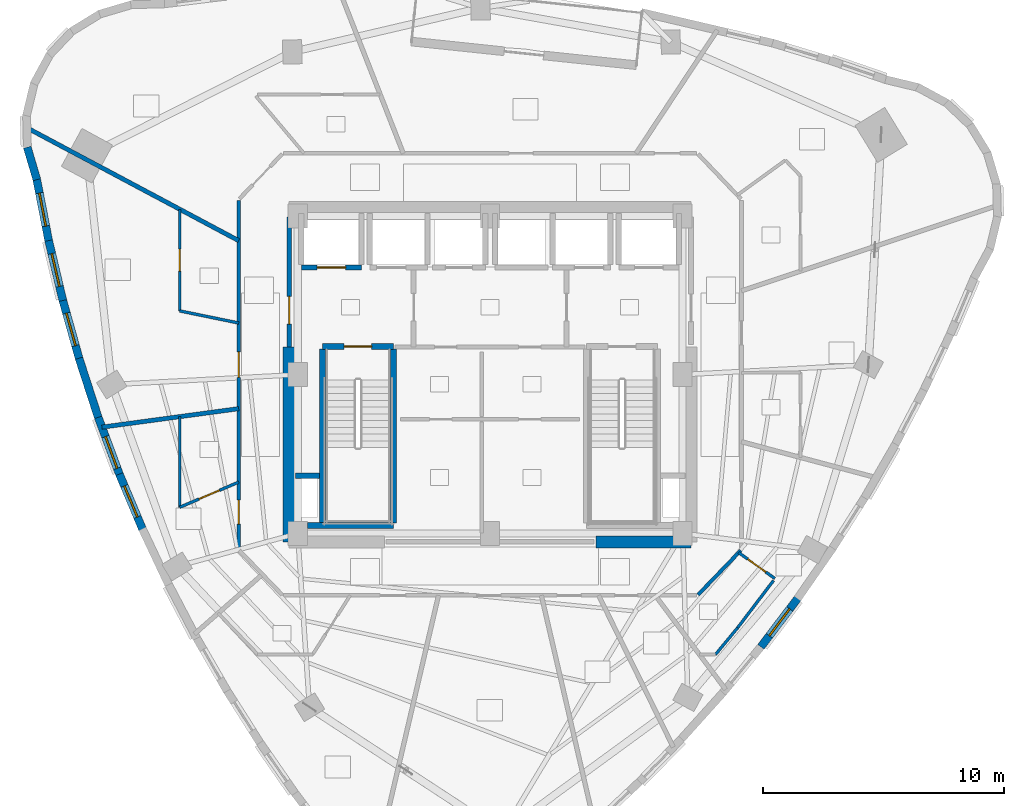
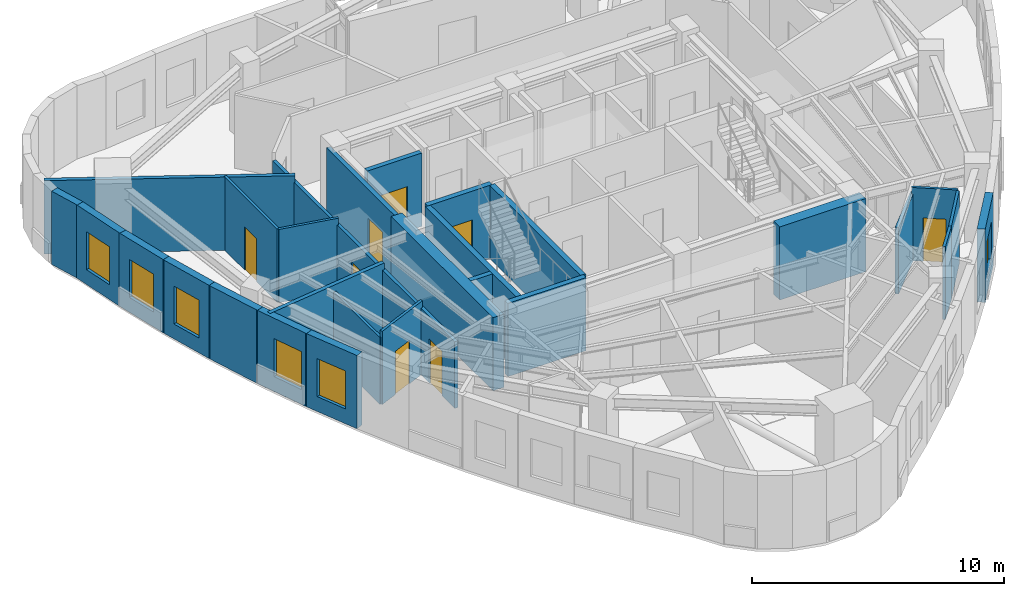
# One storey, part 6 of 12: 28 walls, 8 doors, 6 windows, 14 openings.
"""IFC4 building model written with IfcOpenShell, lengths in metres."""

from ifc_helpers import new_model, si_unit, direction, frame, frame_2d, origin, place, context, subcontext, project, spatial, rectangle, extrude, material, layer, layer_set, type_object, element, fill, save


model = new_model("IFC4")

# Units and contexts
model_context = context("Model", 3, precision=1e-05, world=origin(), true_north=direction((0.0, 1.0)))
body_context = subcontext(model_context, "Body", "Model", "MODEL_VIEW")
ifc_project = project(units=[si_unit("LENGTHUNIT", "METRE"), si_unit("AREAUNIT", "SQUARE_METRE"), si_unit("VOLUMEUNIT", "CUBIC_METRE"), si_unit("PLANEANGLEUNIT", "RADIAN"), si_unit("MASSUNIT", "GRAM", prefix="KILO")], contexts=[model_context])

# Site, building, storey
site_placement = place(None, origin())
site = spatial("IfcSite", under=ifc_project, at=site_placement, CompositionType="ELEMENT")
building_placement = place(site_placement, origin())
building = spatial("IfcBuilding", under=site, at=building_placement, Name="Ndelora Gate Hotel", CompositionType="ELEMENT")
storey_placement = place(building_placement, frame((0.0, 0.0, 190.35009765625)))
storey = spatial("IfcBuildingStorey", under=building, at=storey_placement, Name="L47", CompositionType="ELEMENT", Elevation=190.35009765625)

# Walls
ifc_material_1 = material(Name="Acoustic Double-Stud Gypsum Assembly", Category="gypsum")
ifc_layer_1 = layer(ifc_material_1, 0.179931640625)
ifc_layer_set_1 = layer_set([ifc_layer_1], Name="Acoustic Double-Stud Gypsum Assembly")
wall_type_1 = type_object("IfcWallType", Name="WL-ACOUST-180", PredefinedType="PARTITIONING", material=ifc_layer_set_1)
wall_1_placement = place(storey_placement, frame((-10.449951171875, 5.56884765625, 0.0), z_axis=(0.0, 0.0, 1.0), x_axis=(-0.882520823544, 0.47027332054, 0.0)))
element("IfcWall", 1, at=wall_1_placement, inside=storey, type_object=wall_type_1, Name="L47 Interior Wall IW-3", PredefinedType="PARTITIONING", context=body_context, shape_type="SweptSolid", body=[
    extrude(rectangle(XDim=9.97998046875, YDim=0.179931640625, at=frame_2d((4.989990234375, 0.0))), origin(), (0.0, 0.0, 1.0), 3.5498046875),
])
wall_2_placement = place(storey_placement, frame((-10.449951171875, -1.41455078125, 0.0), z_axis=(0.0, 0.0, 1.0), x_axis=(-0.990963730959, -0.13413010074, 0.0)))
element("IfcWall", 2, at=wall_2_placement, inside=storey, type_object=wall_type_1, Name="L47 Interior Wall IW-3", PredefinedType="PARTITIONING", context=body_context, shape_type="SweptSolid", body=[
    extrude(rectangle(XDim=5.74072265625, YDim=0.179931640625, at=frame_2d((2.870361328125, 0.0))), origin(), (0.0, 0.0, 1.0), 3.5498046875),
])
ifc_material_2 = material(Name="Clay Brick Masonry", Category="masonry")
ifc_layer_2 = layer(ifc_material_2, 0.330078125)
ifc_layer_set_2 = layer_set([ifc_layer_2], Name="Clay Brick Masonry")
wall_type_2 = type_object("IfcWallType", Name="WL-BRICK-330", PredefinedType="SOLIDWALL", material=ifc_layer_set_2)
wall_3_placement = place(storey_placement, frame((-18.843017578125, 8.10498046875, 0.0), z_axis=(0.0, 0.0, 1.0), x_axis=(-0.284100140437, 0.958794613149, 0.0)))
element("IfcWall", 3, at=wall_3_placement, inside=storey, type_object=wall_type_2, Name="L47 Tower Brick Pier-and-Spandrel Wall TWR-8", PredefinedType="SOLIDWALL", context=body_context, shape_type="SweptSolid", body=[
    extrude(rectangle(XDim=1.40771484375, YDim=0.330078125, at=frame_2d((0.703857421875, 0.0))), origin(), (0.0, 0.0, 1.0), 3.5498046875),
])

# Wall, opening, window
wall_4_placement = place(storey_placement, frame((-18.3525390625, 5.5703125, 0.0), z_axis=(0.0, 0.0, 1.0), x_axis=(-0.190921803472, 0.981605249048, 0.0)))
wall_4 = element("IfcWall", 4, at=wall_4_placement, inside=storey, type_object=wall_type_2, Name="L47 Tower Brick Pier-and-Spandrel Wall TWR-9", PredefinedType="SOLIDWALL", context=body_context, shape_type="SweptSolid", body=[
    extrude(rectangle(XDim=2.631591796875, YDim=0.330078125, at=frame_2d((1.31591796875, 0.0))), origin(), (0.0, 0.0, 1.0), 3.5498046875),
])
opening_1_placement = place(wall_4_placement, frame((0.615966796875, 0.0, 0.719970703125)))
opening_1 = element("IfcOpeningElement", 5, at=opening_1_placement, cuts=wall_4, Name="Opening W02", PredefinedType="OPENING", context=body_context, shape_type="SweptSolid", body=[
    extrude(rectangle(XDim=1.39990234375, YDim=1.840087890625, at=frame_2d((0.699951171875, 0.919921875))), frame((0.0, 0.175048828125, 0.0), z_axis=(0.0, -1.0, 0.0), x_axis=(1.0, 0.0, 0.0)), (0.0, 0.0, 1.0), 0.35009765625),
])
ifc_material_3 = material(Name="Insulated Low-E Double Glazing in Bronze Aluminium Frame", Category="aluminium")
window_type = type_object("IfcWindowType", Name="WN-DEEP-1400", PartitioningType="SINGLE_PANEL", PredefinedType="WINDOW", material=ifc_material_3)
window_1_placement = place(opening_1_placement, origin())
window_1 = element("IfcWindow", 6, at=window_1_placement, inside=storey, type_object=window_type, Name="L47 Deep-Set Brick-Pier Window W02", OverallHeight=1.840087890625, OverallWidth=1.39990234375, PartitioningType="SINGLE_PANEL", PredefinedType="WINDOW", context=body_context, shape_type="SweptSolid", body=[
    extrude(rectangle(XDim=1.39990234375, YDim=1.840087890625, at=frame_2d((0.699951171875, 0.919921875))), frame((0.0, 0.030029296875, 0.0), z_axis=(0.0, -1.0, 0.0), x_axis=(1.0, 0.0, 0.0)), (0.0, 0.0, 1.0), 0.06005859375),
])
fill(opening_1, window_1)

wall_5_placement = place(storey_placement, frame((-17.762451171875, 3.079345703125, 0.0), z_axis=(0.0, 0.0, 1.0), x_axis=(-0.230212303812, 0.973140429318, 0.0)))
wall_5 = element("IfcWall", 7, at=wall_5_placement, inside=storey, type_object=wall_type_2, Name="L47 Tower Brick Pier-and-Spandrel Wall TWR-10", PredefinedType="SOLIDWALL", context=body_context, shape_type="SweptSolid", body=[
    extrude(rectangle(XDim=2.60986328125, YDim=0.330078125, at=frame_2d((1.304931640625, 0.0))), origin(), (0.0, 0.0, 1.0), 3.5498046875),
])
opening_2_placement = place(wall_5_placement, frame((0.60498046875, 0.0, 0.719970703125)))
opening_2 = element("IfcOpeningElement", 8, at=opening_2_placement, cuts=wall_5, Name="Opening W02", PredefinedType="OPENING", context=body_context, shape_type="SweptSolid", body=[
    extrude(rectangle(XDim=1.39990234375, YDim=1.840087890625, at=frame_2d((0.699951171875, 0.919921875))), frame((0.0, 0.175048828125, 0.0), z_axis=(0.0, -1.0, 0.0), x_axis=(1.0, 0.0, 0.0)), (0.0, 0.0, 1.0), 0.35009765625),
])
window_2_placement = place(opening_2_placement, origin())
window_2 = element("IfcWindow", 9, at=window_2_placement, inside=storey, type_object=window_type, Name="L47 Deep-Set Brick-Pier Window W02", OverallHeight=1.840087890625, OverallWidth=1.39990234375, PartitioningType="SINGLE_PANEL", PredefinedType="WINDOW", context=body_context, shape_type="SweptSolid", body=[
    extrude(rectangle(XDim=1.39990234375, YDim=1.840087890625, at=frame_2d((0.699951171875, 0.919921875))), frame((0.0, 0.030029296875, 0.0), z_axis=(0.0, -1.0, 0.0), x_axis=(1.0, 0.0, 0.0)), (0.0, 0.0, 1.0), 0.06005859375),
])
fill(opening_2, window_2)

wall_6_placement = place(storey_placement, frame((-17.07568359375, 0.631103515625, 0.0), z_axis=(0.0, 0.0, 1.0), x_axis=(-0.26969279574, 0.962946413839, 0.0)))
wall_6 = element("IfcWall", 10, at=wall_6_placement, inside=storey, type_object=wall_type_2, Name="L47 Tower Brick Pier-and-Spandrel Wall TWR-11", PredefinedType="SOLIDWALL", context=body_context, shape_type="SweptSolid", body=[
    extrude(rectangle(XDim=2.592529296875, YDim=0.330078125, at=frame_2d((1.29638671875, 0.0))), origin(), (0.0, 0.0, 1.0), 3.5498046875),
])
opening_3_placement = place(wall_6_placement, frame((0.59619140625, 0.0, 0.719970703125)))
opening_3 = element("IfcOpeningElement", 11, at=opening_3_placement, cuts=wall_6, Name="Opening W02", PredefinedType="OPENING", context=body_context, shape_type="SweptSolid", body=[
    extrude(rectangle(XDim=1.39990234375, YDim=1.840087890625, at=frame_2d((0.699951171875, 0.919921875))), frame((0.0, 0.175048828125, 0.0), z_axis=(0.0, -1.0, 0.0), x_axis=(1.0, 0.0, 0.0)), (0.0, 0.0, 1.0), 0.35009765625),
])
window_3_placement = place(opening_3_placement, origin())
window_3 = element("IfcWindow", 12, at=window_3_placement, inside=storey, type_object=window_type, Name="L47 Deep-Set Brick-Pier Window W02", OverallHeight=1.840087890625, OverallWidth=1.39990234375, PartitioningType="SINGLE_PANEL", PredefinedType="WINDOW", context=body_context, shape_type="SweptSolid", body=[
    extrude(rectangle(XDim=1.39990234375, YDim=1.840087890625, at=frame_2d((0.699951171875, 0.919921875))), frame((0.0, 0.030029296875, 0.0), z_axis=(0.0, -1.0, 0.0), x_axis=(1.0, 0.0, 0.0)), (0.0, 0.0, 1.0), 0.06005859375),
])
fill(opening_3, window_3)

# Wall
wall_7_placement = place(storey_placement, frame((-16.292724609375, -1.77392578125, 0.0), z_axis=(0.0, 0.0, 1.0), x_axis=(-0.309148141518, 0.951013894008, 0.0)))
element("IfcWall", 13, at=wall_7_placement, inside=storey, type_object=wall_type_2, Name="L47 Tower Brick Pier-and-Spandrel Wall TWR-12", PredefinedType="SOLIDWALL", context=body_context, shape_type="SweptSolid", body=[
    extrude(rectangle(XDim=2.579345703125, YDim=0.330078125, at=frame_2d((1.28955078125, 0.0))), origin(), (0.0, 0.0, 1.0), 3.5498046875),
])

# Wall, opening, window
wall_8_placement = place(storey_placement, frame((-15.4130859375, -4.135986328125, 0.0), z_axis=(0.0, 0.0, 1.0), x_axis=(-0.348582368666, 0.937278150954, 0.0)))
wall_8 = element("IfcWall", 14, at=wall_8_placement, inside=storey, type_object=wall_type_2, Name="L47 Tower Brick Pier-and-Spandrel Wall TWR-13", PredefinedType="SOLIDWALL", context=body_context, shape_type="SweptSolid", body=[
    extrude(rectangle(XDim=2.5703125, YDim=0.330078125, at=frame_2d((1.28515625, 0.0))), origin(), (0.0, 0.0, 1.0), 3.5498046875),
])
opening_4_placement = place(wall_8_placement, frame((0.260009765625, 0.0, 0.719970703125)))
opening_4 = element("IfcOpeningElement", 15, at=opening_4_placement, cuts=wall_8, Name="Opening W02", PredefinedType="OPENING", context=body_context, shape_type="SweptSolid", body=[
    extrude(rectangle(XDim=1.39990234375, YDim=1.840087890625, at=frame_2d((0.699951171875, 0.919921875))), frame((0.0, 0.175048828125, 0.0), z_axis=(0.0, -1.0, 0.0), x_axis=(1.0, 0.0, 0.0)), (0.0, 0.0, 1.0), 0.35009765625),
])
window_4_placement = place(opening_4_placement, origin())
window_4 = element("IfcWindow", 16, at=window_4_placement, inside=storey, type_object=window_type, Name="L47 Deep-Set Brick-Pier Window W02", OverallHeight=1.840087890625, OverallWidth=1.39990234375, PartitioningType="SINGLE_PANEL", PredefinedType="WINDOW", context=body_context, shape_type="SweptSolid", body=[
    extrude(rectangle(XDim=1.39990234375, YDim=1.840087890625, at=frame_2d((0.699951171875, 0.919921875))), frame((0.0, 0.030029296875, 0.0), z_axis=(0.0, -1.0, 0.0), x_axis=(1.0, 0.0, 0.0)), (0.0, 0.0, 1.0), 0.06005859375),
])
fill(opening_4, window_4)

wall_9_placement = place(storey_placement, frame((-14.437255859375, -6.455078125, 0.0), z_axis=(0.0, 0.0, 1.0), x_axis=(-0.387525243304, 0.921859092162, 0.0)))
wall_9 = element("IfcWall", 17, at=wall_9_placement, inside=storey, type_object=wall_type_2, Name="L47 Tower Brick Pier-and-Spandrel Wall TWR-14", PredefinedType="SOLIDWALL", context=body_context, shape_type="SweptSolid", body=[
    extrude(rectangle(XDim=2.56591796875, YDim=0.330078125, at=frame_2d((1.282958984375, 0.0))), origin(), (0.0, 0.0, 1.0), 3.5498046875),
])
opening_5_placement = place(wall_9_placement, frame((0.5830078125, 0.0, 0.719970703125)))
opening_5 = element("IfcOpeningElement", 18, at=opening_5_placement, cuts=wall_9, Name="Opening W02", PredefinedType="OPENING", context=body_context, shape_type="SweptSolid", body=[
    extrude(rectangle(XDim=1.39990234375, YDim=1.840087890625, at=frame_2d((0.699951171875, 0.919921875))), frame((0.0, 0.175048828125, 0.0), z_axis=(0.0, -1.0, 0.0), x_axis=(1.0, 0.0, 0.0)), (0.0, 0.0, 1.0), 0.35009765625),
])
window_5_placement = place(opening_5_placement, origin())
window_5 = element("IfcWindow", 19, at=window_5_placement, inside=storey, type_object=window_type, Name="L47 Deep-Set Brick-Pier Window W02", OverallHeight=1.840087890625, OverallWidth=1.39990234375, PartitioningType="SINGLE_PANEL", PredefinedType="WINDOW", context=body_context, shape_type="SweptSolid", body=[
    extrude(rectangle(XDim=1.39990234375, YDim=1.840087890625, at=frame_2d((0.699951171875, 0.919921875))), frame((0.0, 0.030029296875, 0.0), z_axis=(0.0, -1.0, 0.0), x_axis=(1.0, 0.0, 0.0)), (0.0, 0.0, 1.0), 0.06005859375),
])
fill(opening_5, window_5)

wall_10_placement = place(storey_placement, frame((12.80908203125, -9.275390625, 0.0), z_axis=(0.0, 0.0, 1.0), x_axis=(-0.604617593392, -0.796515891719, 0.0)))
wall_10 = element("IfcWall", 20, at=wall_10_placement, inside=storey, type_object=wall_type_2, Name="L47 Tower Brick Pier-and-Spandrel Wall TWR-34", PredefinedType="SOLIDWALL", context=body_context, shape_type="SweptSolid", body=[
    extrude(rectangle(XDim=2.566162109375, YDim=0.330078125, at=frame_2d((1.283203125, 0.0))), origin(), (0.0, 0.0, 1.0), 3.5498046875),
])
opening_6_placement = place(wall_10_placement, frame((0.5830078125, 0.0, 0.719970703125)))
opening_6 = element("IfcOpeningElement", 21, at=opening_6_placement, cuts=wall_10, Name="Opening W02", PredefinedType="OPENING", context=body_context, shape_type="SweptSolid", body=[
    extrude(rectangle(XDim=1.39990234375, YDim=1.840087890625, at=frame_2d((0.699951171875, 0.919921875))), frame((0.0, 0.175048828125, 0.0), z_axis=(0.0, -1.0, 0.0), x_axis=(1.0, 0.0, 0.0)), (0.0, 0.0, 1.0), 0.35009765625),
])
window_6_placement = place(opening_6_placement, origin())
window_6 = element("IfcWindow", 22, at=window_6_placement, inside=storey, type_object=window_type, Name="L47 Deep-Set Brick-Pier Window W02", OverallHeight=1.840087890625, OverallWidth=1.39990234375, PartitioningType="SINGLE_PANEL", PredefinedType="WINDOW", context=body_context, shape_type="SweptSolid", body=[
    extrude(rectangle(XDim=1.39990234375, YDim=1.840087890625, at=frame_2d((0.699951171875, 0.919921875))), frame((0.0, 0.030029296875, 0.0), z_axis=(0.0, -1.0, 0.0), x_axis=(1.0, 0.0, 0.0)), (0.0, 0.0, 1.0), 0.06005859375),
])
fill(opening_6, window_6)

# Walls
ifc_material_4 = material(Name="Concrete C50/60", Category="concrete")
ifc_layer_3 = layer(ifc_material_4, 0.5)
ifc_layer_set_3 = layer_set([ifc_layer_3], Name="Concrete C50/60")
wall_type_3 = type_object("IfcWallType", Name="WL-CORE-500", PredefinedType="SHEAR", material=ifc_layer_set_3)
wall_11_placement = place(storey_placement, frame((4.39990234375, -6.949951171875, 0.0), z_axis=(0.0, 0.0, 1.0), x_axis=(1.0, 0.0, 0.0)))
element("IfcWall", 23, at=wall_11_placement, inside=storey, type_object=wall_type_3, Name="L47 Core Shear Wall S-E", PredefinedType="SHEAR", context=body_context, shape_type="SweptSolid", body=[
    extrude(rectangle(XDim=3.9501953125, YDim=0.5, at=frame_2d((1.97509765625, 0.0))), origin(), (0.0, 0.0, 1.0), 3.5498046875),
])
wall_12_placement = place(storey_placement, frame((-8.35009765625, -6.949951171875, 0.0), z_axis=(0.0, 0.0, 1.0), x_axis=(0.0, 1.0, 0.0)))
element("IfcWall", 24, at=wall_12_placement, inside=storey, type_object=wall_type_3, Name="L47 Core Shear Wall W", PredefinedType="SHEAR", context=body_context, shape_type="SweptSolid", body=[
    extrude(rectangle(XDim=8.099853515625, YDim=0.5, at=frame_2d((4.0498046875, 0.0))), origin(), (0.0, 0.0, 1.0), 3.5498046875),
])

# Wall, opening, door
ifc_material_5 = material(Name="Concrete C40/50", Category="concrete")
ifc_layer_4 = layer(ifc_material_5, 0.199951171875)
ifc_layer_set_4 = layer_set([ifc_layer_4], Name="Concrete C40/50")
wall_type_4 = type_object("IfcWallType", Name="WL-FIRE-200", PredefinedType="PARTITIONING", material=ifc_layer_set_4)
wall_13_placement = place(storey_placement, frame((-8.35009765625, 1.14990234375, 0.0), z_axis=(0.0, 0.0, 1.0), x_axis=(0.0, 1.0, 0.0)))
wall_13 = element("IfcWall", 25, at=wall_13_placement, inside=storey, type_object=wall_type_4, Name="L47 Interior Wall IW-2", PredefinedType="PARTITIONING", context=body_context, shape_type="SweptSolid", body=[
    extrude(rectangle(XDim=5.400146484375, YDim=0.199951171875, at=frame_2d((2.7001953125, 0.0))), origin(), (0.0, 0.0, 1.0), 3.5498046875),
])
opening_7_placement = place(wall_13_placement, frame((0.949951171875, 0.0, 0.0)))
opening_7 = element("IfcOpeningElement", 26, at=opening_7_placement, cuts=wall_13, Name="Opening FD1", PredefinedType="OPENING", context=body_context, shape_type="SweptSolid", body=[
    extrude(rectangle(XDim=1.14990234375, YDim=2.14990234375, at=frame_2d((0.574951171875, 1.074951171875))), frame((0.0, 0.10986328125, 0.0), z_axis=(0.0, -1.0, 0.0), x_axis=(1.0, 0.0, 0.0)), (0.0, 0.0, 1.0), 0.219970703125),
])
ifc_material_6 = material(Name="Fire-Rated Timber-Veneer Steel Core", Category="steel")
door_type_1 = type_object("IfcDoorType", Name="DR-FD60", OperationType="SINGLE_SWING_LEFT", PredefinedType="DOOR", material=ifc_material_6)
door_1_placement = place(opening_7_placement, origin())
door_1 = element("IfcDoor", 27, at=door_1_placement, inside=storey, type_object=door_type_1, Name="L47 Firefighting Lobby West Corridor Door", OperationType="SINGLE_SWING_LEFT", OverallHeight=2.14990234375, OverallWidth=1.14990234375, PredefinedType="DOOR", context=body_context, shape_type="SweptSolid", body=[
    extrude(rectangle(XDim=1.14990234375, YDim=2.14990234375, at=frame_2d((0.574951171875, 1.074951171875))), frame((0.0, 0.02490234375, 0.0), z_axis=(0.0, -1.0, 0.0), x_axis=(1.0, 0.0, 0.0)), (0.0, 0.0, 1.0), 0.050048828125),
])
fill(opening_7, door_1)

# Wall
ifc_material_7 = material(Name="Fire-Rated Gypsum Stud Partition", Category="gypsum")
ifc_layer_5 = layer(ifc_material_7, 0.14990234375)
ifc_layer_set_5 = layer_set([ifc_layer_5], Name="Fire-Rated Gypsum Stud Partition")
wall_type_5 = type_object("IfcWallType", Name="WL-PART-150", PredefinedType="PARTITIONING", material=ifc_layer_set_5)
wall_14_placement = place(storey_placement, frame((10.42236328125, -7.308837890625, 0.0), z_axis=(0.0, 0.0, 1.0), x_axis=(-0.693764562202, -0.720201869085, 0.0)))
element("IfcWall", 28, at=wall_14_placement, inside=storey, type_object=wall_type_5, Name="L47 Interior Wall IW-5", PredefinedType="PARTITIONING", context=body_context, shape_type="SweptSolid", body=[
    extrude(rectangle(XDim=2.55810546875, YDim=0.14990234375, at=frame_2d((1.279052734375, 0.0))), origin(), (0.0, 0.0, 1.0), 3.22998046875),
])

# Wall, openings, doors
wall_15_placement = place(storey_placement, frame((-10.449951171875, -7.239990234375, 0.0), z_axis=(0.0, 0.0, 1.0), x_axis=(0.0, 1.0, 0.0)))
wall_15 = element("IfcWall", 29, at=wall_15_placement, inside=storey, type_object=wall_type_5, Name="L47 Interior Wall IW-5", PredefinedType="PARTITIONING", context=body_context, shape_type="SweptSolid", body=[
    extrude(rectangle(XDim=14.47998046875, YDim=0.14990234375, at=frame_2d((7.239990234375, 0.0))), origin(), (0.0, 0.0, 1.0), 3.22998046875),
])
opening_8_placement = place(wall_15_placement, frame((1.026123046875, 0.0, 0.0)))
opening_8 = element("IfcOpeningElement", 30, at=opening_8_placement, cuts=wall_15, Name="Opening D01", PredefinedType="OPENING", context=body_context, shape_type="SweptSolid", body=[
    extrude(rectangle(XDim=1.0, YDim=2.14990234375, at=frame_2d((0.5, 1.074951171875))), frame((0.0, 0.0849609375, 0.0), z_axis=(0.0, -1.0, 0.0), x_axis=(1.0, 0.0, 0.0)), (0.0, 0.0, 1.0), 0.169921875),
])
opening_9_placement = place(wall_15_placement, frame((7.1259765625, 0.0, 0.0)))
opening_9 = element("IfcOpeningElement", 31, at=opening_9_placement, cuts=wall_15, Name="Opening D07", PredefinedType="OPENING", context=body_context, shape_type="SweptSolid", body=[
    extrude(rectangle(XDim=1.06005859375, YDim=2.14990234375, at=frame_2d((0.530029296875, 1.074951171875))), frame((0.0, 0.0849609375, 0.0), z_axis=(0.0, -1.0, 0.0), x_axis=(1.0, 0.0, 0.0)), (0.0, 0.0, 1.0), 0.169921875),
])
ifc_material_8 = material(Name="Acoustic Hardwood Guest Entrance Door", Category="wood")
door_type_2 = type_object("IfcDoorType", Name="DR-COR-1000", OperationType="SINGLE_SWING_LEFT", PredefinedType="DOOR", material=ifc_material_8)
door_2_placement = place(opening_8_placement, origin())
door_2 = element("IfcDoor", 32, at=door_2_placement, inside=storey, type_object=door_type_2, Name="L47 Altitude Deluxe Guest Room 5006 Entrance Door", OperationType="SINGLE_SWING_LEFT", OverallHeight=2.14990234375, OverallWidth=1.0, PredefinedType="DOOR", context=body_context, shape_type="SweptSolid", body=[
    extrude(rectangle(XDim=1.0, YDim=2.14990234375, at=frame_2d((0.5, 1.074951171875))), frame((0.0, 0.02490234375, 0.0), z_axis=(0.0, -1.0, 0.0), x_axis=(1.0, 0.0, 0.0)), (0.0, 0.0, 1.0), 0.050048828125),
])
fill(opening_8, door_2)
ifc_material_9 = material(Name="Diplomatic Suite Acoustic Entrance Door", Category="wood")
door_type_3 = type_object("IfcDoorType", Name="DR-SUITE-1060", OperationType="SINGLE_SWING_LEFT", PredefinedType="DOOR", material=ifc_material_9)
door_3_placement = place(opening_9_placement, origin())
door_3 = element("IfcDoor", 33, at=door_3_placement, inside=storey, type_object=door_type_3, Name="L47 Altitude Twin Suite 5005 Entrance Door", OperationType="SINGLE_SWING_LEFT", OverallHeight=2.14990234375, OverallWidth=1.06005859375, PredefinedType="DOOR", context=body_context, shape_type="SweptSolid", body=[
    extrude(rectangle(XDim=1.06005859375, YDim=2.14990234375, at=frame_2d((0.530029296875, 1.074951171875))), frame((0.0, 0.02490234375, 0.0), z_axis=(0.0, -1.0, 0.0), x_axis=(1.0, 0.0, 0.0)), (0.0, 0.0, 1.0), 0.050048828125),
])
fill(opening_9, door_3)

# Wall
ifc_layer_6 = layer(ifc_material_5, 0.219970703125)
ifc_layer_set_6 = layer_set([ifc_layer_6], Name="Concrete C40/50")
wall_type_6 = type_object("IfcWallType", Name="WL-SHAFT-220", PredefinedType="PARTITIONING", material=ifc_layer_set_6)
wall_16_placement = place(storey_placement, frame((-8.10009765625, -4.199951171875, 0.0), z_axis=(0.0, 0.0, 1.0), x_axis=(1.0, 0.0, 0.0)))
element("IfcWall", 34, at=wall_16_placement, inside=storey, type_object=wall_type_6, Name="L47 Interior Wall IW-1", PredefinedType="PARTITIONING", context=body_context, shape_type="SweptSolid", body=[
    extrude(rectangle(XDim=1.010009765625, YDim=0.219970703125, at=frame_2d((0.5048828125, 0.0))), origin(), (0.0, 0.0, 1.0), 3.5498046875),
])

# Wall, opening, door
wall_17_placement = place(storey_placement, frame((-7.85009765625, 4.449951171875, 0.0), z_axis=(0.0, 0.0, 1.0), x_axis=(1.0, 0.0, 0.0)))
wall_17 = element("IfcWall", 35, at=wall_17_placement, inside=storey, type_object=wall_type_6, Name="L47 Interior Wall IW-1", PredefinedType="PARTITIONING", context=body_context, shape_type="SweptSolid", body=[
    extrude(rectangle(XDim=2.5, YDim=0.219970703125, at=frame_2d((1.25, 0.0))), origin(), (0.0, 0.0, 1.0), 3.5498046875),
])
opening_10_placement = place(wall_17_placement, frame((0.659912109375, 0.0, 0.0)))
opening_10 = element("IfcOpeningElement", 36, at=opening_10_placement, cuts=wall_17, Name="Opening LD5", PredefinedType="OPENING", context=body_context, shape_type="SweptSolid", body=[
    extrude(rectangle(XDim=1.179931640625, YDim=2.14990234375, at=frame_2d((0.58984375, 1.074951171875))), frame((0.0, 0.1201171875, 0.0), z_axis=(0.0, -1.0, 0.0), x_axis=(1.0, 0.0, 0.0)), (0.0, 0.0, 1.0), 0.239990234375),
])
ifc_material_10 = material(Name="Firefighting Lift Stainless Sliding Landing Door", Category="metal")
door_type_4 = type_object("IfcDoorType", Name="DR-LD5", OperationType="DOUBLE_DOOR_SLIDING", PredefinedType="DOOR", material=ifc_material_10)
door_4_placement = place(opening_10_placement, origin())
door_4 = element("IfcDoor", 37, at=door_4_placement, inside=storey, type_object=door_type_4, Name="L47 Lift Landing Sliding Door FFL1", OperationType="DOUBLE_DOOR_SLIDING", OverallHeight=2.14990234375, OverallWidth=1.179931640625, PredefinedType="DOOR", context=body_context, shape_type="SweptSolid", body=[
    extrude(rectangle(XDim=1.179931640625, YDim=2.14990234375, at=frame_2d((0.58984375, 1.074951171875))), frame((0.0, 0.02490234375, 0.0), z_axis=(0.0, -1.0, 0.0), x_axis=(1.0, 0.0, 0.0)), (0.0, 0.0, 1.0), 0.050048828125),
])
fill(opening_10, door_4)

# Walls
ifc_layer_7 = layer(ifc_material_4, 0.239990234375)
ifc_layer_set_7 = layer_set([ifc_layer_7], Name="Concrete C50/60")
wall_type_7 = type_object("IfcWallType", Name="WL-STAIR-240", PredefinedType="SHEAR", material=ifc_layer_set_7)
wall_18_placement = place(storey_placement, frame((-6.969970703125, -6.159912109375, 0.0), z_axis=(0.0, 0.0, 1.0), x_axis=(0.0, 1.0, 0.0)))
element("IfcWall", 38, at=wall_18_placement, inside=storey, type_object=wall_type_7, Name="L47 Stair Core Shear Wall SW-ST", PredefinedType="SHEAR", context=body_context, shape_type="SweptSolid", body=[
    extrude(rectangle(XDim=7.219970703125, YDim=0.239990234375, at=frame_2d((3.60986328125, 0.0))), origin(), (0.0, 0.0, 1.0), 3.5498046875),
])
wall_19_placement = place(storey_placement, frame((-7.60009765625, -6.27001953125, 0.0), z_axis=(0.0, 0.0, 1.0), x_axis=(1.0, 0.0, 0.0)))
element("IfcWall", 39, at=wall_19_placement, inside=storey, type_object=wall_type_7, Name="L47 Stair Core Shear Wall SW-ST", PredefinedType="SHEAR", context=body_context, shape_type="SweptSolid", body=[
    extrude(rectangle(XDim=3.590087890625, YDim=0.239990234375, at=frame_2d((1.794921875, 0.0))), origin(), (0.0, 0.0, 1.0), 3.5498046875),
])
wall_20_placement = place(storey_placement, frame((-4.010009765625, -6.159912109375, 0.0), z_axis=(0.0, 0.0, 1.0), x_axis=(0.0, 1.0, 0.0)))
element("IfcWall", 40, at=wall_20_placement, inside=storey, type_object=wall_type_7, Name="L47 Stair Core Shear Wall SW-ST", PredefinedType="SHEAR", context=body_context, shape_type="SweptSolid", body=[
    extrude(rectangle(XDim=7.219970703125, YDim=0.239990234375, at=frame_2d((3.60986328125, 0.0))), origin(), (0.0, 0.0, 1.0), 3.5498046875),
])

# Wall, opening, door
wall_21_placement = place(storey_placement, frame((-6.969970703125, 1.169921875, 0.0), z_axis=(0.0, 0.0, 1.0), x_axis=(1.0, 0.0, 0.0)))
wall_21 = element("IfcWall", 41, at=wall_21_placement, inside=storey, type_object=wall_type_7, Name="L47 Stair Core Shear Wall SW-ST", PredefinedType="SHEAR", context=body_context, shape_type="SweptSolid", body=[
    extrude(rectangle(XDim=2.9599609375, YDim=0.239990234375, at=frame_2d((1.47998046875, 0.0))), origin(), (0.0, 0.0, 1.0), 3.5498046875),
])
opening_11_placement = place(wall_21_placement, frame((0.89990234375, 0.0, 0.0)))
opening_11 = element("IfcOpeningElement", 42, at=opening_11_placement, cuts=wall_21, Name="Opening FD1", PredefinedType="OPENING", context=body_context, shape_type="SweptSolid", body=[
    extrude(rectangle(XDim=1.14990234375, YDim=2.14990234375, at=frame_2d((0.574951171875, 1.074951171875))), frame((0.0, 0.1298828125, 0.0), z_axis=(0.0, -1.0, 0.0), x_axis=(1.0, 0.0, 0.0)), (0.0, 0.0, 1.0), 0.260009765625),
])
door_5_placement = place(opening_11_placement, origin())
door_5 = element("IfcDoor", 43, at=door_5_placement, inside=storey, type_object=door_type_1, Name="L47 Exit Stair ST4 Door", OperationType="SINGLE_SWING_LEFT", OverallHeight=2.14990234375, OverallWidth=1.14990234375, PredefinedType="DOOR", context=body_context, shape_type="SweptSolid", body=[
    extrude(rectangle(XDim=1.14990234375, YDim=2.14990234375, at=frame_2d((0.574951171875, 1.074951171875))), frame((0.0, 0.02490234375, 0.0), z_axis=(0.0, -1.0, 0.0), x_axis=(1.0, 0.0, 0.0)), (0.0, 0.0, 1.0), 0.050048828125),
])
fill(opening_11, door_5)

ifc_material_11 = material(Name="Moisture-Resistant Bathroom Tile Partition", Category="gypsum")
ifc_layer_8 = layer(ifc_material_11, 0.1201171875)
ifc_layer_set_8 = layer_set([ifc_layer_8], Name="Moisture-Resistant Bathroom Tile Partition")
wall_type_8 = type_object("IfcWallType", Name="WL-WET-120", PredefinedType="PARTITIONING", material=ifc_layer_set_8)
wall_22_placement = place(storey_placement, frame((10.3349609375, -7.3994140625, 0.0), z_axis=(0.0, 0.0, 1.0), x_axis=(0.813020012063, -0.582235742621, 0.0)))
wall_22 = element("IfcWall", 44, at=wall_22_placement, inside=storey, type_object=wall_type_8, Name="L47 Interior Wall IW-7", PredefinedType="PARTITIONING", context=body_context, shape_type="SweptSolid", body=[
    extrude(rectangle(XDim=1.851318359375, YDim=0.1201171875, at=frame_2d((0.92578125, 0.0))), origin(), (0.0, 0.0, 1.0), 3.5498046875),
])
opening_12_placement = place(wall_22_placement, frame((0.4658203125, 0.0, 0.0)))
opening_12 = element("IfcOpeningElement", 45, at=opening_12_placement, cuts=wall_22, Name="Opening D03", PredefinedType="OPENING", context=body_context, shape_type="SweptSolid", body=[
    extrude(rectangle(XDim=0.919921875, YDim=2.10009765625, at=frame_2d((0.4599609375, 1.050048828125))), frame((0.0, 0.070068359375, 0.0), z_axis=(0.0, -1.0, 0.0), x_axis=(1.0, 0.0, 0.0)), (0.0, 0.0, 1.0), 0.14013671875),
])
ifc_material_12 = material(Name="Moisture-Resistant Hardwood En-Suite Door", Category="wood")
door_type_5 = type_object("IfcDoorType", Name="DR-BATH-920", OperationType="SINGLE_SWING_LEFT", PredefinedType="DOOR", material=ifc_material_12)
door_6_placement = place(opening_12_placement, origin())
door_6 = element("IfcDoor", 46, at=door_6_placement, inside=storey, type_object=door_type_5, Name="L47 En-suite Bathroom 5001 Door", OperationType="SINGLE_SWING_RIGHT", OverallHeight=2.10009765625, OverallWidth=0.919921875, PredefinedType="DOOR", context=body_context, shape_type="SweptSolid", body=[
    extrude(rectangle(XDim=0.919921875, YDim=2.10009765625, at=frame_2d((0.4599609375, 1.050048828125))), frame((0.0, 0.02490234375, 0.0), z_axis=(0.0, -1.0, 0.0), x_axis=(1.0, 0.0, 0.0)), (0.0, 0.0, 1.0), 0.050048828125),
])
fill(opening_12, door_6)

# Walls
wall_23_placement = place(storey_placement, frame((10.292724609375, -10.522705078125, 0.0), z_axis=(0.0, 0.0, 1.0), x_axis=(0.604651038728, 0.796490502998, 0.0)))
element("IfcWall", 47, at=wall_23_placement, inside=storey, type_object=wall_type_8, Name="L47 Interior Wall IW-7", PredefinedType="PARTITIONING", context=body_context, shape_type="SweptSolid", body=[
    extrude(rectangle(XDim=2.4638671875, YDim=0.1201171875, at=frame_2d((1.23193359375, 0.0))), origin(), (0.0, 0.0, 1.0), 3.5498046875),
])
wall_24_placement = place(storey_placement, frame((9.376708984375, -11.6298828125, 0.0), z_axis=(0.0, 0.0, 1.0), x_axis=(0.63745644053, 0.770486396003, 0.0)))
element("IfcWall", 48, at=wall_24_placement, inside=storey, type_object=wall_type_8, Name="L47 Interior Wall IW-7", PredefinedType="PARTITIONING", context=body_context, shape_type="SweptSolid", body=[
    extrude(rectangle(XDim=1.43701171875, YDim=0.1201171875, at=frame_2d((0.718505859375, 0.0))), origin(), (0.0, 0.0, 1.0), 3.5498046875),
])
wall_25_placement = place(storey_placement, frame((-12.89990234375, 2.648681640625, 0.0), z_axis=(0.0, 0.0, 1.0), x_axis=(0.979553895705, -0.201181921181, 0.0)))
element("IfcWall", 49, at=wall_25_placement, inside=storey, type_object=wall_type_8, Name="L47 Interior Wall IW-7", PredefinedType="PARTITIONING", context=body_context, shape_type="SweptSolid", body=[
    extrude(rectangle(XDim=2.5009765625, YDim=0.1201171875, at=frame_2d((1.25048828125, 0.0))), origin(), (0.0, 0.0, 1.0), 3.5498046875),
])

# Wall, opening, door
wall_26_placement = place(storey_placement, frame((-12.89990234375, 2.648681640625, 0.0), z_axis=(0.0, 0.0, 1.0), x_axis=(0.0, 1.0, 0.0)))
wall_26 = element("IfcWall", 50, at=wall_26_placement, inside=storey, type_object=wall_type_8, Name="L47 Interior Wall IW-7", PredefinedType="PARTITIONING", context=body_context, shape_type="SweptSolid", body=[
    extrude(rectangle(XDim=4.225830078125, YDim=0.1201171875, at=frame_2d((2.11279296875, 0.0))), origin(), (0.0, 0.0, 1.0), 3.5498046875),
])
opening_13_placement = place(wall_26_placement, frame((1.65283203125, 0.0, 0.0)))
opening_13 = element("IfcOpeningElement", 51, at=opening_13_placement, cuts=wall_26, Name="Opening D03", PredefinedType="OPENING", context=body_context, shape_type="SweptSolid", body=[
    extrude(rectangle(XDim=0.919921875, YDim=2.10009765625, at=frame_2d((0.4599609375, 1.050048828125))), frame((0.0, 0.070068359375, 0.0), z_axis=(0.0, -1.0, 0.0), x_axis=(1.0, 0.0, 0.0)), (0.0, 0.0, 1.0), 0.14013671875),
])
door_7_placement = place(opening_13_placement, origin())
door_7 = element("IfcDoor", 52, at=door_7_placement, inside=storey, type_object=door_type_5, Name="L47 En-suite Bathroom 5005 Door", OperationType="SINGLE_SWING_RIGHT", OverallHeight=2.10009765625, OverallWidth=0.919921875, PredefinedType="DOOR", context=body_context, shape_type="SweptSolid", body=[
    extrude(rectangle(XDim=0.919921875, YDim=2.10009765625, at=frame_2d((0.4599609375, 1.050048828125))), frame((0.0, 0.02490234375, 0.0), z_axis=(0.0, -1.0, 0.0), x_axis=(1.0, 0.0, 0.0)), (0.0, 0.0, 1.0), 0.050048828125),
])
fill(opening_13, door_7)

wall_27_placement = place(storey_placement, frame((-10.449951171875, -4.466796875, 0.0), z_axis=(0.0, 0.0, 1.0), x_axis=(-0.919533231313, -0.39301226, 0.0)))
wall_27 = element("IfcWall", 53, at=wall_27_placement, inside=storey, type_object=wall_type_8, Name="L47 Interior Wall IW-7", PredefinedType="PARTITIONING", context=body_context, shape_type="SweptSolid", body=[
    extrude(rectangle(XDim=2.664306640625, YDim=0.1201171875, at=frame_2d((1.33203125, 0.0))), origin(), (0.0, 0.0, 1.0), 3.5498046875),
])
opening_14_placement = place(wall_27_placement, frame((0.872314453125, 0.0, 0.0)))
opening_14 = element("IfcOpeningElement", 54, at=opening_14_placement, cuts=wall_27, Name="Opening D03", PredefinedType="OPENING", context=body_context, shape_type="SweptSolid", body=[
    extrude(rectangle(XDim=0.919921875, YDim=2.10009765625, at=frame_2d((0.4599609375, 1.050048828125))), frame((0.0, 0.070068359375, 0.0), z_axis=(0.0, -1.0, 0.0), x_axis=(1.0, 0.0, 0.0)), (0.0, 0.0, 1.0), 0.14013671875),
])
door_8_placement = place(opening_14_placement, origin())
door_8 = element("IfcDoor", 55, at=door_8_placement, inside=storey, type_object=door_type_5, Name="L47 En-suite Bathroom 5006 Door", OperationType="SINGLE_SWING_LEFT", OverallHeight=2.10009765625, OverallWidth=0.919921875, PredefinedType="DOOR", context=body_context, shape_type="SweptSolid", body=[
    extrude(rectangle(XDim=0.919921875, YDim=2.10009765625, at=frame_2d((0.4599609375, 1.050048828125))), frame((0.0, 0.02490234375, 0.0), z_axis=(0.0, -1.0, 0.0), x_axis=(1.0, 0.0, 0.0)), (0.0, 0.0, 1.0), 0.050048828125),
])
fill(opening_14, door_8)

# Wall
wall_28_placement = place(storey_placement, frame((-12.89990234375, -1.74609375, 0.0), z_axis=(0.0, 0.0, 1.0), x_axis=(0.0, -1.0, 0.0)))
element("IfcWall", 56, at=wall_28_placement, inside=storey, type_object=wall_type_8, Name="L47 Interior Wall IW-7", PredefinedType="PARTITIONING", context=body_context, shape_type="SweptSolid", body=[
    extrude(rectangle(XDim=3.767822265625, YDim=0.1201171875, at=frame_2d((1.8837890625, 0.0))), origin(), (0.0, 0.0, 1.0), 3.22998046875),
])

save(model, "model.ifc")
